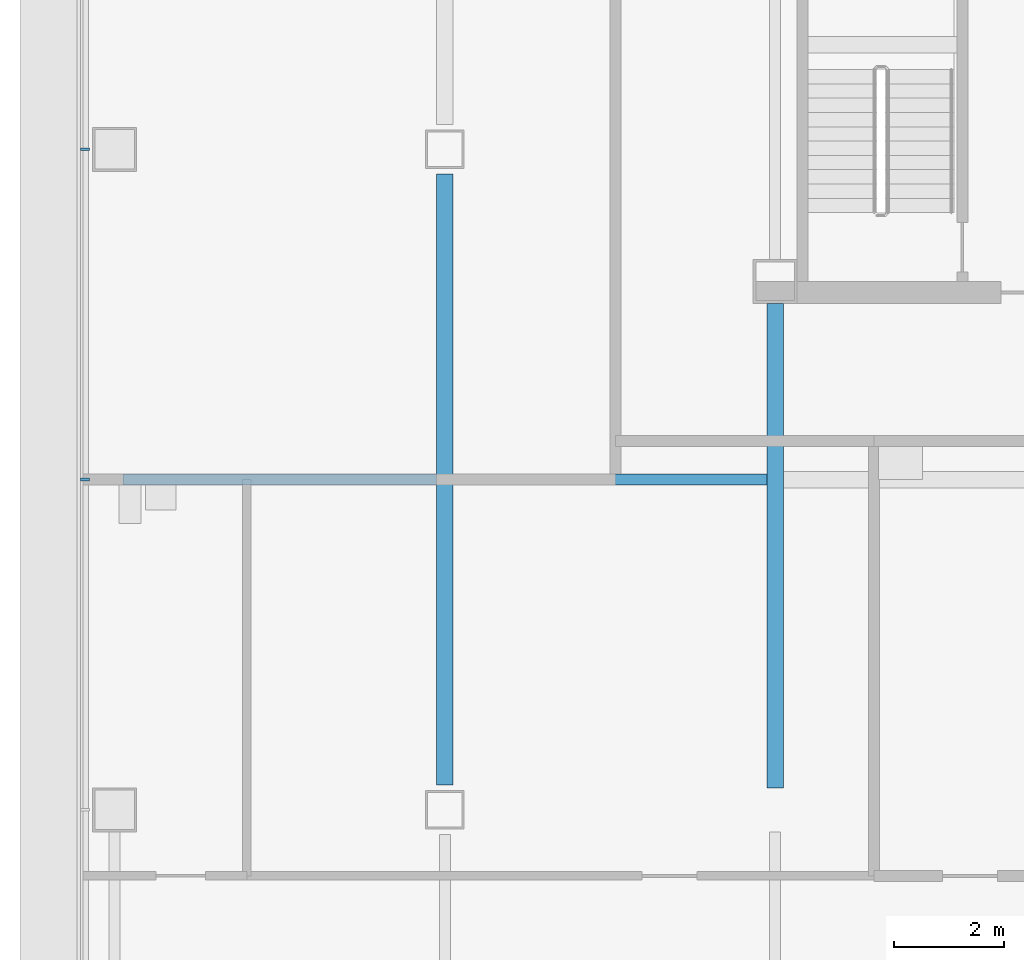
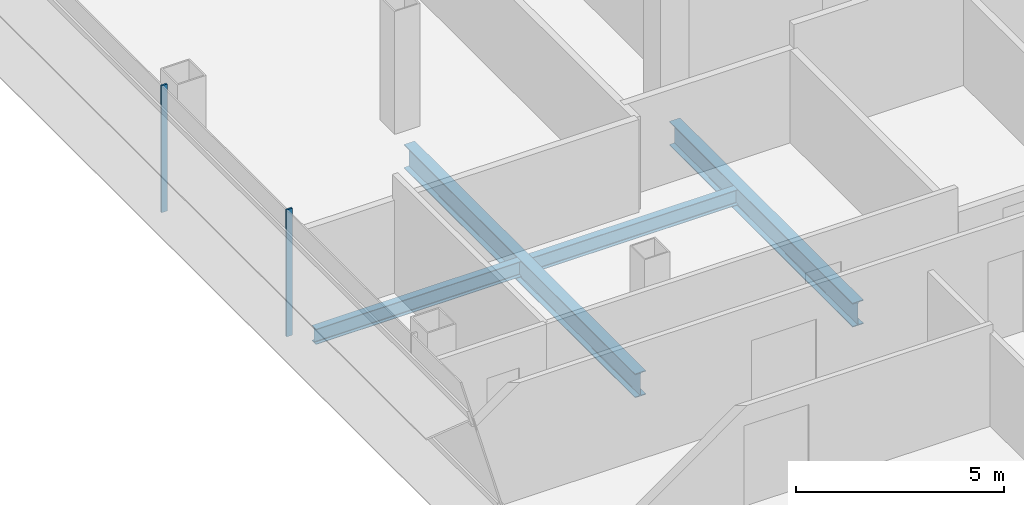
# One storey, part 4 of 28: 4 beams, 2 members, 1 element without a shape of its own.
"""IFC4 building model written with IfcOpenShell, lengths in metres."""

from ifc_helpers import new_model, si_unit, direction, frame, origin, origin_2d, place, context, subcontext, project, spatial, rectangle, i_section, extrude, material, material_profile, profile_set, type_object, element, aggregate, save


model = new_model("IFC4")

# Units and contexts
model_context = context("Model", 3, precision=1e-05, world=origin(), true_north=direction((0.0, 1.0)))
body_context = subcontext(model_context, "Body", "Model", "MODEL_VIEW")
ifc_project = project(units=[si_unit("LENGTHUNIT", "METRE"), si_unit("AREAUNIT", "SQUARE_METRE"), si_unit("VOLUMEUNIT", "CUBIC_METRE"), si_unit("PLANEANGLEUNIT", "RADIAN"), si_unit("MASSUNIT", "GRAM", prefix="KILO")], contexts=[model_context])

# Site, building, storey
site_placement = place(None, origin())
site = spatial("IfcSite", under=ifc_project, at=site_placement, CompositionType="ELEMENT")
building_placement = place(site_placement, origin())
building = spatial("IfcBuilding", under=site, at=building_placement, Name="Sorahane Residences", CompositionType="ELEMENT")
storey_placement = place(building_placement, frame((0.0, 0.0, 96.199951171875)))
storey = spatial("IfcBuildingStorey", under=building, at=storey_placement, Name="L20", CompositionType="ELEMENT", Elevation=96.199951171875)

# Curtain wall, members
ifc_material_1 = material(Name="Dark low-e glass and black anodised aluminium", Category="aluminium")
curtain_wall_type = type_object("IfcCurtainWallType", Name="Curtain wall CW-1 Typical unitised wall", PredefinedType="NOTDEFINED", material=ifc_material_1)
curtain_wall_placement = place(storey_placement, origin())
curtain_wall = element("IfcCurtainWall", 1, at=curtain_wall_placement, inside=storey, type_object=curtain_wall_type, Name="CW-1 curtain wall L20 W1", PredefinedType="NOTDEFINED")
ifc_material_2 = material(Name="Black anodised aluminium", Category="aluminium")
ifc_material_profile_1 = material_profile(ifc_material_2, rectangle(XDim=0.159912109375, YDim=0.050048828125, at=origin_2d()), Name="Curtain wall mullion CW-1 black anodised aluminium 50x160")
ifc_profile_set_1 = profile_set([ifc_material_profile_1], Name="Black anodised aluminium")
member_type = type_object("IfcMemberType", Name="Curtain wall mullion CW-1 black anodised aluminium 50x160", PredefinedType="MULLION", material=ifc_profile_set_1)
member_1_placement = place(storey_placement, frame((-6.5400390625, 24.0, -0.300048828125), z_axis=(0.0, 0.0, 1.0), x_axis=(-1.0, 0.0, 0.0)))
member_1 = element("IfcMember", 2, at=member_1_placement, type_object=member_type, Name="CW-1 mullion L20 W1.4", PredefinedType="MULLION", context=body_context, shape_type="SweptSolid", body=[
    extrude(rectangle(XDim=0.159912109375, YDim=0.050048828125, at=origin_2d()), origin(), (0.0, 0.0, 1.0), 3.72021484375),
])
member_2_placement = place(storey_placement, frame((-6.5400390625, 18.0, -0.300048828125), z_axis=(0.0, 0.0, 1.0), x_axis=(-1.0, 0.0, 0.0)))
member_2 = element("IfcMember", 3, at=member_2_placement, type_object=member_type, Name="CW-1 mullion L20 W1.5", PredefinedType="MULLION", context=body_context, shape_type="SweptSolid", body=[
    extrude(rectangle(XDim=0.159912109375, YDim=0.050048828125, at=origin_2d()), origin(), (0.0, 0.0, 1.0), 3.72021484375),
])
aggregate(curtain_wall, [member_1, member_2])

# Beams
ifc_material_3 = material(Name="Steel Q355B", Category="steel")
ifc_material_profile_2 = material_profile(ifc_material_3, i_section(OverallWidth=0.199951171875, OverallDepth=0.449951171875, WebThickness=0.009033203125, FlangeThickness=0.013916015625, FilletRadius=0.02001953125, at=origin_2d()), Name="HN 450x200x9x14")
ifc_profile_set_2 = profile_set([ifc_material_profile_2], Name="Steel Q355B")
beam_type_1 = type_object("IfcBeamType", Name="Steel floor beam HN 450x200x9x14 Q355B", PredefinedType="BEAM", material=ifc_profile_set_2)
for number, where, z_axis, x_axis, name in (
    (4, (-5.85009765625, 18.0, -0.52490234375), (1.0, 0.0, 0.0), (0.0, 1.0, 0.0), "Beam L20 057"),
    (5, (0.14990234375, 18.0, -0.52490234375), (1.0, 0.0, 0.0), (0.0, 1.0, 0.0), "Beam L20 058"),
):
    element("IfcBeam", number, at=place(storey_placement, frame(where, z_axis=z_axis, x_axis=x_axis)), inside=storey, type_object=beam_type_1, Name=name, PredefinedType="BEAM", context=body_context, shape_type="SweptSolid", body=[
        extrude(i_section(OverallWidth=0.199951171875, OverallDepth=0.449951171875, WebThickness=0.009033203125, FlangeThickness=0.013916015625, FilletRadius=0.02001953125, at=origin_2d()), origin(), (0.0, 0.0, 1.0), 5.7001953125),
    ])
ifc_material_4 = material(Name="Steel Q355B", Category="steel")
ifc_material_profile_3 = material_profile(ifc_material_4, i_section(OverallWidth=0.300048828125, OverallDepth=0.699951171875, WebThickness=0.012939453125, FlangeThickness=0.02392578125, FilletRadius=0.028076171875, at=origin_2d()), Name="HN 700x300x13x24")
ifc_profile_set_3 = profile_set([ifc_material_profile_3], Name="Steel Q355B")
beam_type_2 = type_object("IfcBeamType", Name="Steel floor beam HN 700x300x13x24 Q355B", PredefinedType="BEAM", material=ifc_profile_set_3)
beam_1_placement = place(storey_placement, frame((0.0, 12.449951171875, -0.64990234375), z_axis=(0.0, 1.0, 0.0), x_axis=(-1.0, 0.0, 0.0)))
element("IfcBeam", 6, at=beam_1_placement, inside=storey, type_object=beam_type_2, Name="Beam L20 003", PredefinedType="BEAM", context=body_context, shape_type="SweptSolid", body=[
    extrude(i_section(OverallWidth=0.300048828125, OverallDepth=0.699951171875, WebThickness=0.012939453125, FlangeThickness=0.02392578125, FilletRadius=0.028076171875, at=origin_2d()), origin(), (0.0, 0.0, 1.0), 11.10009765625),
])
beam_2_placement = place(storey_placement, frame((6.0, 12.39990234375, -0.64990234375), z_axis=(0.0, 1.0, 0.0), x_axis=(-1.0, 0.0, 0.0)))
element("IfcBeam", 7, at=beam_2_placement, inside=storey, type_object=beam_type_2, Name="Beam L20 009", PredefinedType="BEAM", context=body_context, shape_type="SweptSolid", body=[
    extrude(i_section(OverallWidth=0.300048828125, OverallDepth=0.699951171875, WebThickness=0.012939453125, FlangeThickness=0.02392578125, FilletRadius=0.028076171875, at=origin_2d()), origin(), (0.0, 0.0, 1.0), 8.800048828125),
])

save(model, "model.ifc")
